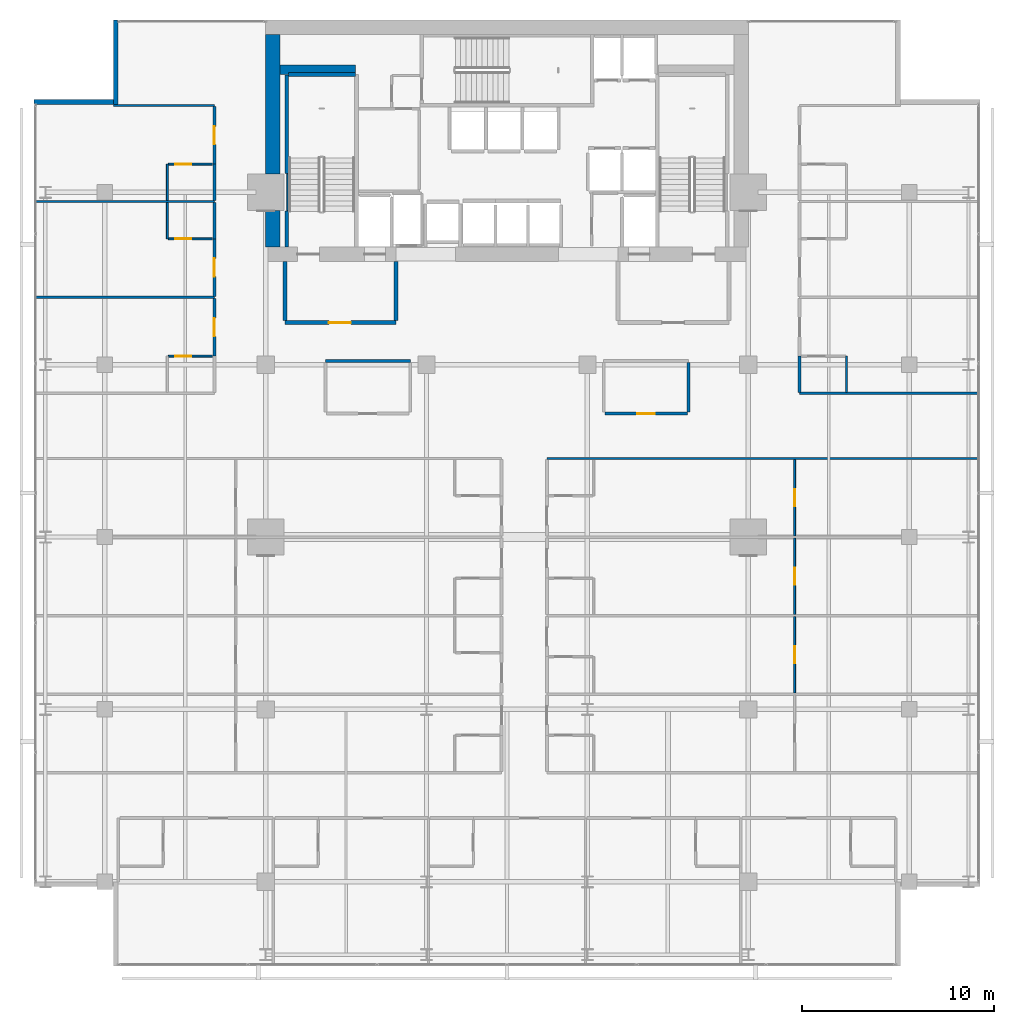
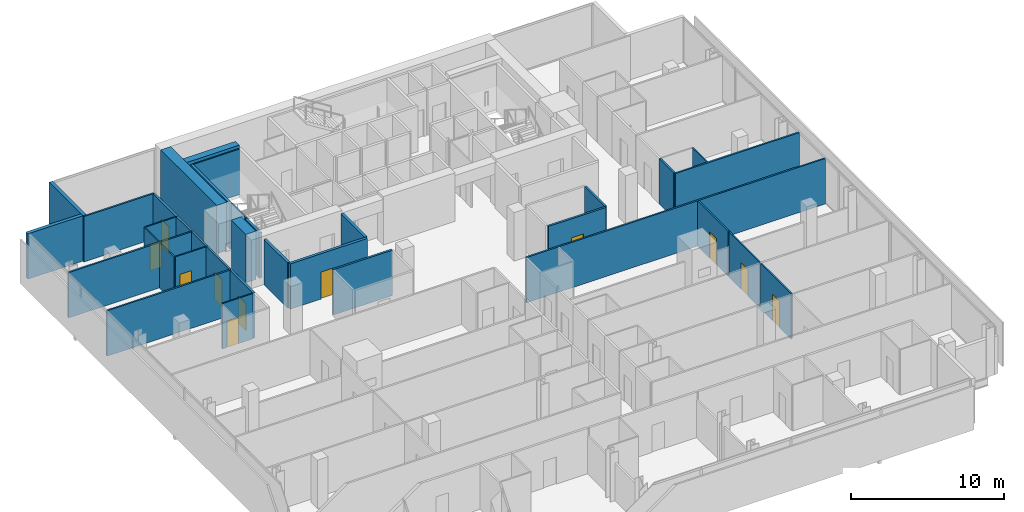
# One storey, part 29 of 34: 35 walls, 11 doors, 11 openings.
"""IFC4 building model written with IfcOpenShell, lengths in metres."""

from ifc_helpers import new_model, si_unit, direction, frame, frame_2d, origin, place, context, subcontext, project, spatial, rectangle, extrude, material, layer, layer_set, type_object, element, fill, save


model = new_model("IFC4")

# Units and contexts
model_context = context("Model", 3, precision=1e-05, world=origin(), true_north=direction((0.0, 1.0)))
body_context = subcontext(model_context, "Body", "Model", "MODEL_VIEW")
ifc_project = project(units=[si_unit("LENGTHUNIT", "METRE"), si_unit("AREAUNIT", "SQUARE_METRE"), si_unit("VOLUMEUNIT", "CUBIC_METRE"), si_unit("PLANEANGLEUNIT", "RADIAN"), si_unit("MASSUNIT", "GRAM", prefix="KILO")], contexts=[model_context])

# Site, building, storey
site_placement = place(None, origin())
site = spatial("IfcSite", under=ifc_project, at=site_placement, CompositionType="ELEMENT")
building_placement = place(site_placement, origin())
building = spatial("IfcBuilding", under=site, at=building_placement, Name="Maruvema Waterfront Hotel and Observation Tower", CompositionType="ELEMENT")
storey_placement = place(building_placement, frame((0.0, 0.0, 177.449951171875)))
storey = spatial("IfcBuildingStorey", under=building, at=storey_placement, Name="L43", CompositionType="ELEMENT", Elevation=177.449951171875)

# Walls
ifc_material_1 = material(Name="Twin-stud acoustic gypsum drywall", Category="gypsum")
ifc_layer_1 = layer(ifc_material_1, 0.14990234375, Name="Acoustic Corridor and Suite Demising Wall 150 mm")
ifc_layer_set_1 = layer_set([ifc_layer_1], Name="Twin-stud acoustic gypsum drywall")
wall_type_1 = type_object("IfcWallType", Name="Acoustic Corridor and Suite Demising Wall 150 mm", PredefinedType="PARTITIONING", material=ifc_layer_set_1)
wall_1_placement = place(storey_placement, frame((28.320068359375, 36.199951171875, 0.0), z_axis=(0.0, 0.0, 1.0), x_axis=(1.0, 0.0, 0.0)))
element("IfcWall", 1, at=wall_1_placement, inside=storey, type_object=wall_type_1, Name="L43 L43-M1 Back Wall 017", PredefinedType="PARTITIONING", context=body_context, shape_type="SweptSolid", body=[
    extrude(rectangle(XDim=4.429931640625, YDim=0.14990234375, at=frame_2d((2.21484375, 0.0))), origin(), (0.0, 0.0, 1.0), 3.610107421875),
])
wall_2_placement = place(storey_placement, frame((47.280029296875, 33.530029296875, 0.0), z_axis=(0.0, 0.0, 1.0), x_axis=(0.0, 1.0, 0.0)))
element("IfcWall", 2, at=wall_2_placement, inside=storey, type_object=wall_type_1, Name="L43 L43-M2 East Wall 023", PredefinedType="PARTITIONING", context=body_context, shape_type="SweptSolid", body=[
    extrude(rectangle(XDim=2.590087890625, YDim=0.14990234375, at=frame_2d((1.294921875, 0.0))), origin(), (0.0, 0.0, 1.0), 3.610107421875),
])

# Wall, opening, door
wall_3_placement = place(storey_placement, frame((42.909912109375, 33.449951171875, 0.0), z_axis=(0.0, 0.0, 1.0), x_axis=(1.0, 0.0, 0.0)))
wall_3 = element("IfcWall", 3, at=wall_3_placement, inside=storey, type_object=wall_type_1, Name="L43 L43-M2 Front 1 024", PredefinedType="PARTITIONING", context=body_context, shape_type="SweptSolid", body=[
    extrude(rectangle(XDim=4.31005859375, YDim=0.14990234375, at=frame_2d((2.155029296875, 0.0))), origin(), (0.0, 0.0, 1.0), 3.610107421875),
])
opening_1_placement = place(wall_3_placement, frame((1.705078125, 0.0, 0.0)))
opening_1 = element("IfcOpeningElement", 4, at=opening_1_placement, cuts=wall_3, Name="Opening DR-090", PredefinedType="OPENING", context=body_context, shape_type="SweptSolid", body=[
    extrude(rectangle(XDim=0.89990234375, YDim=2.10009765625, at=frame_2d((0.449951171875, 1.050048828125))), frame((0.0, 0.0849609375, 0.0), z_axis=(0.0, -1.0, 0.0), x_axis=(1.0, 0.0, 0.0)), (0.0, 0.0, 1.0), 0.169921875),
])
ifc_material_2 = material(Name="Solid-core lacquered timber leaf", Category="wood")
door_type_1 = type_object("IfcDoorType", Name="Accessible Toilet and Room Door 900x2100 mm", OperationType="NOTDEFINED", PredefinedType="DOOR", material=ifc_material_2)
door_1_placement = place(opening_1_placement, frame((0.89990234375, 0.0, 0.0), z_axis=(0.0, 0.0, 1.0), x_axis=(-1.0, 0.0, 0.0)))
door_1 = element("IfcDoor", 5, at=door_1_placement, inside=storey, type_object=door_type_1, Name="L43 Meeting Room 3 Door", OperationType="SINGLE_SWING_LEFT", OverallHeight=2.10009765625, OverallWidth=0.89990234375, PredefinedType="DOOR", context=body_context, shape_type="SweptSolid", body=[
    extrude(rectangle(XDim=0.89990234375, YDim=2.10009765625, at=frame_2d((0.449951171875, 1.050048828125))), frame((0.0, 0.02490234375, 0.0), z_axis=(0.0, -1.0, 0.0), x_axis=(1.0, 0.0, 0.0)), (0.0, 0.0, 1.0), 0.050048828125),
])
fill(opening_1, door_1)

wall_4_placement = place(storey_placement, frame((22.52001953125, 36.449951171875, 0.0), z_axis=(0.0, 0.0, 1.0), x_axis=(0.0, 1.0, 0.0)))
wall_4 = element("IfcWall", 6, at=wall_4_placement, inside=storey, type_object=wall_type_1, Name="L43 Room L43-NW1 Corridor Wall 106", PredefinedType="PARTITIONING", context=body_context, shape_type="SweptSolid", body=[
    extrude(rectangle(XDim=3.00244140625, YDim=0.14990234375, at=frame_2d((1.501220703125, 0.0))), origin(), (0.0, 0.0, 1.0), 3.610107421875),
])
opening_2_placement = place(wall_4_placement, frame((1.026123046875, 0.0, 0.0)))
opening_2 = element("IfcOpeningElement", 7, at=opening_2_placement, cuts=wall_4, Name="Opening DR-095", PredefinedType="OPENING", context=body_context, shape_type="SweptSolid", body=[
    extrude(rectangle(XDim=0.949951171875, YDim=2.14990234375, at=frame_2d((0.47509765625, 1.074951171875))), frame((0.0, 0.0849609375, 0.0), z_axis=(0.0, -1.0, 0.0), x_axis=(1.0, 0.0, 0.0)), (0.0, 0.0, 1.0), 0.169921875),
])
ifc_material_3 = material(Name="Acoustic solid-core hardwood timber leaf", Category="wood")
door_type_2 = type_object("IfcDoorType", Name="Guestroom Entrance Fire Door 950x2150 mm", OperationType="NOTDEFINED", PredefinedType="DOOR", material=ifc_material_3)
door_2_placement = place(opening_2_placement, origin())
door_2 = element("IfcDoor", 8, at=door_2_placement, inside=storey, type_object=door_type_2, Name="L43 Room L43-NW1 Entrance Door", OperationType="SINGLE_SWING_LEFT", OverallHeight=2.14990234375, OverallWidth=0.949951171875, PredefinedType="DOOR", context=body_context, shape_type="SweptSolid", body=[
    extrude(rectangle(XDim=0.949951171875, YDim=2.14990234375, at=frame_2d((0.47509765625, 1.074951171875))), frame((0.0, 0.02490234375, 0.0), z_axis=(0.0, -1.0, 0.0), x_axis=(1.0, 0.0, 0.0)), (0.0, 0.0, 1.0), 0.050048828125),
])
fill(opening_2, door_2)

# Wall
wall_5_placement = place(storey_placement, frame((53.080078125, 34.56005859375, 0.0), z_axis=(0.0, 0.0, 1.0), x_axis=(0.0, 1.0, 0.0)))
element("IfcWall", 9, at=wall_5_placement, inside=storey, type_object=wall_type_1, Name="L43 Bath L43-NE1 Wall 109", PredefinedType="PARTITIONING", context=body_context, shape_type="SweptSolid", body=[
    extrude(rectangle(XDim=1.889892578125, YDim=0.14990234375, at=frame_2d((0.94482421875, 0.0))), origin(), (0.0, 0.0, 1.0), 3.610107421875),
])

# Wall, opening, door
wall_6_placement = place(storey_placement, frame((22.52001953125, 39.572509765625, 0.0), z_axis=(0.0, 0.0, 1.0), x_axis=(0.0, 1.0, 0.0)))
wall_6 = element("IfcWall", 10, at=wall_6_placement, inside=storey, type_object=wall_type_1, Name="L43 Room L43-NW2 Corridor Wall 115", PredefinedType="PARTITIONING", context=body_context, shape_type="SweptSolid", body=[
    extrude(rectangle(XDim=3.00244140625, YDim=0.14990234375, at=frame_2d((1.501220703125, 0.0))), origin(), (0.0, 0.0, 1.0), 3.610107421875),
])
opening_3_placement = place(wall_6_placement, frame((1.0263671875, 0.0, 0.0)))
opening_3 = element("IfcOpeningElement", 11, at=opening_3_placement, cuts=wall_6, Name="Opening DR-095", PredefinedType="OPENING", context=body_context, shape_type="SweptSolid", body=[
    extrude(rectangle(XDim=0.949951171875, YDim=2.14990234375, at=frame_2d((0.47509765625, 1.074951171875))), frame((0.0, 0.0849609375, 0.0), z_axis=(0.0, -1.0, 0.0), x_axis=(1.0, 0.0, 0.0)), (0.0, 0.0, 1.0), 0.169921875),
])
door_3_placement = place(opening_3_placement, origin())
door_3 = element("IfcDoor", 12, at=door_3_placement, inside=storey, type_object=door_type_2, Name="L43 Room L43-NW2 Entrance Door", OperationType="SINGLE_SWING_LEFT", OverallHeight=2.14990234375, OverallWidth=0.949951171875, PredefinedType="DOOR", context=body_context, shape_type="SweptSolid", body=[
    extrude(rectangle(XDim=0.949951171875, YDim=2.14990234375, at=frame_2d((0.47509765625, 1.074951171875))), frame((0.0, 0.02490234375, 0.0), z_axis=(0.0, -1.0, 0.0), x_axis=(1.0, 0.0, 0.0)), (0.0, 0.0, 1.0), 0.050048828125),
])
fill(opening_3, door_3)

# Walls
for number, where, z_axis, x_axis, name in (
    (13, (22.52001953125, 42.574951171875, 0.0), (0.0, 0.0, 1.0), (0.0, 1.0, 0.0), "L43 Bath L43-NW2 Wall 116"),
    (14, (22.52001953125, 44.5849609375, 0.0), (0.0, 0.0, 1.0), (0.0, 1.0, 0.0), "L43 Bath L43-NW3 Wall 125"),
):
    element("IfcWall", number, at=place(storey_placement, frame(where, z_axis=z_axis, x_axis=x_axis)), inside=storey, type_object=wall_type_1, Name=name, PredefinedType="PARTITIONING", context=body_context, shape_type="SweptSolid", body=[
        extrude(rectangle(XDim=1.89013671875, YDim=0.14990234375, at=frame_2d((0.945068359375, 0.0))), origin(), (0.0, 0.0, 1.0), 3.610107421875),
    ])

# Wall, opening, door
wall_7_placement = place(storey_placement, frame((22.52001953125, 46.47509765625, 0.0), z_axis=(0.0, 0.0, 1.0), x_axis=(0.0, 1.0, 0.0)))
wall_7 = element("IfcWall", 15, at=wall_7_placement, inside=storey, type_object=wall_type_1, Name="L43 Room L43-NW3 Corridor Wall 126", PredefinedType="PARTITIONING", context=body_context, shape_type="SweptSolid", body=[
    extrude(rectangle(XDim=3.00244140625, YDim=0.14990234375, at=frame_2d((1.501220703125, 0.0))), origin(), (0.0, 0.0, 1.0), 3.610107421875),
])
opening_4_placement = place(wall_7_placement, frame((1.026123046875, 0.0, 0.0)))
opening_4 = element("IfcOpeningElement", 16, at=opening_4_placement, cuts=wall_7, Name="Opening DR-095", PredefinedType="OPENING", context=body_context, shape_type="SweptSolid", body=[
    extrude(rectangle(XDim=0.949951171875, YDim=2.14990234375, at=frame_2d((0.47509765625, 1.074951171875))), frame((0.0, 0.0849609375, 0.0), z_axis=(0.0, -1.0, 0.0), x_axis=(1.0, 0.0, 0.0)), (0.0, 0.0, 1.0), 0.169921875),
])
door_4_placement = place(opening_4_placement, origin())
door_4 = element("IfcDoor", 17, at=door_4_placement, inside=storey, type_object=door_type_2, Name="L43 Room L43-NW3 Entrance Door", OperationType="SINGLE_SWING_LEFT", OverallHeight=2.14990234375, OverallWidth=0.949951171875, PredefinedType="DOOR", context=body_context, shape_type="SweptSolid", body=[
    extrude(rectangle(XDim=0.949951171875, YDim=2.14990234375, at=frame_2d((0.47509765625, 1.074951171875))), frame((0.0, 0.02490234375, 0.0), z_axis=(0.0, -1.0, 0.0), x_axis=(1.0, 0.0, 0.0)), (0.0, 0.0, 1.0), 0.050048828125),
])
fill(opening_4, door_4)

# Walls
ifc_material_4 = material(Name="Precast concrete C45/55", Category="concrete")
ifc_layer_2 = layer(ifc_material_4, 0.199951171875, Name="Core Shaft and Stairwell Enclosure Wall 200 mm")
ifc_layer_set_2 = layer_set([ifc_layer_2], Name="Precast concrete C45/55")
wall_type_2 = type_object("IfcWallType", Name="Core Shaft and Stairwell Enclosure Wall 200 mm", PredefinedType="SOLIDWALL", material=ifc_layer_set_2)
wall_8_placement = place(storey_placement, frame((26.300048828125, 42.14990234375, 0.0), z_axis=(0.0, 0.0, 1.0), x_axis=(0.0, 1.0, 0.0)))
element("IfcWall", 18, at=wall_8_placement, inside=storey, type_object=wall_type_2, Name="L43 Stairwell ST-01 Shaft Lining Wall", PredefinedType="SOLIDWALL", context=body_context, shape_type="SweptSolid", body=[
    extrude(rectangle(XDim=1.8701171875, YDim=0.199951171875, at=frame_2d((0.93505859375, 0.0))), origin(), (0.0, 0.0, 1.0), 3.610107421875),
])
wall_9_placement = place(storey_placement, frame((26.300048828125, 45.97998046875, 0.0), z_axis=(0.0, 0.0, 1.0), x_axis=(0.0, 1.0, 0.0)))
element("IfcWall", 19, at=wall_9_placement, inside=storey, type_object=wall_type_2, Name="L43 Stairwell ST-01 Shaft Lining Wall", PredefinedType="SOLIDWALL", context=body_context, shape_type="SweptSolid", body=[
    extrude(rectangle(XDim=5.14013671875, YDim=0.199951171875, at=frame_2d((2.570068359375, 0.0))), origin(), (0.0, 0.0, 1.0), 3.610107421875),
])
wall_10_placement = place(storey_placement, frame((26.3798828125, 51.14990234375, 0.0), z_axis=(0.0, 0.0, 1.0), x_axis=(1.0, 0.0, 0.0)))
element("IfcWall", 20, at=wall_10_placement, inside=storey, type_object=wall_type_2, Name="L43 Stairwell ST-01 Shaft Lining Wall", PredefinedType="SOLIDWALL", context=body_context, shape_type="SweptSolid", body=[
    extrude(rectangle(XDim=3.5, YDim=0.199951171875, at=frame_2d((1.75, 0.0))), origin(), (0.0, 0.0, 1.0), 3.610107421875),
])
ifc_material_5 = material(Name="Concrete C70/85", Category="concrete")
ifc_layer_3 = layer(ifc_material_5, 0.5, Name="Core Shear Wall 500 mm")
ifc_layer_set_3 = layer_set([ifc_layer_3], Name="Concrete C70/85")
wall_type_3 = type_object("IfcWallType", Name="Core Shear Wall 500 mm", PredefinedType="SHEAR", material=ifc_layer_set_3)
wall_11_placement = place(storey_placement, frame((25.949951171875, 51.39990234375, 0.0), z_axis=(0.0, 0.0, 1.0), x_axis=(1.0, 0.0, 0.0)))
element("IfcWall", 21, at=wall_11_placement, inside=storey, type_object=wall_type_3, Name="L43 Internal Core Shear Wall NW 500 mm", PredefinedType="SHEAR", context=body_context, shape_type="SweptSolid", body=[
    extrude(rectangle(XDim=3.949951171875, YDim=0.5, at=frame_2d((1.97509765625, 0.0))), origin(), (0.0, 0.0, 1.0), 3.85009765625),
])
ifc_material_6 = material(Name="Concrete C70/85", Category="concrete")
ifc_layer_4 = layer(ifc_material_6, 0.75, Name="Core Shear Wall 750 mm")
ifc_layer_set_4 = layer_set([ifc_layer_4], Name="Concrete C70/85")
wall_type_4 = type_object("IfcWallType", Name="Core Shear Wall 750 mm", PredefinedType="SHEAR", material=ifc_layer_set_4)
wall_12_placement = place(storey_placement, frame((25.574951171875, 42.14990234375, 0.0), z_axis=(0.0, 0.0, 1.0), x_axis=(0.0, 1.0, 0.0)))
element("IfcWall", 22, at=wall_12_placement, inside=storey, type_object=wall_type_4, Name="L43 West-South Core Shear Wall", PredefinedType="SHEAR", context=body_context, shape_type="SweptSolid", body=[
    extrude(rectangle(XDim=1.900146484375, YDim=0.75, at=frame_2d((0.9501953125, 0.0))), origin(), (0.0, 0.0, 1.0), 3.85009765625),
])
wall_13_placement = place(storey_placement, frame((25.574951171875, 45.949951171875, 0.0), z_axis=(0.0, 0.0, 1.0), x_axis=(0.0, 1.0, 0.0)))
element("IfcWall", 23, at=wall_13_placement, inside=storey, type_object=wall_type_4, Name="L43 West-North Core Shear Wall", PredefinedType="SHEAR", context=body_context, shape_type="SweptSolid", body=[
    extrude(rectangle(XDim=7.300048828125, YDim=0.75, at=frame_2d((3.64990234375, 0.0))), origin(), (0.0, 0.0, 1.0), 3.85009765625),
])

# Wall, opening, door
ifc_material_7 = material(Name="Moisture-resistant cement-board drywall", Category="gypsum")
ifc_layer_5 = layer(ifc_material_7, 0.10009765625, Name="En-Suite Moisture-Resistant Partition 100 mm")
ifc_layer_set_5 = layer_set([ifc_layer_5], Name="Moisture-resistant cement-board drywall")
wall_type_5 = type_object("IfcWallType", Name="En-Suite Moisture-Resistant Partition 100 mm", PredefinedType="PARTITIONING", material=ifc_layer_set_5)
wall_14_placement = place(storey_placement, frame((52.818359375, 18.860107421875, 0.0), z_axis=(0.0, 0.0, 1.0), x_axis=(0.0, 1.0, 0.0)))
wall_14 = element("IfcWall", 24, at=wall_14_placement, inside=storey, type_object=wall_type_5, Name="L43 Suite L43-E2 Split 076", PredefinedType="PARTITIONING", context=body_context, shape_type="SweptSolid", body=[
    extrude(rectangle(XDim=3.97998046875, YDim=0.10009765625, at=frame_2d((1.989990234375, 0.0))), origin(), (0.0, 0.0, 1.0), 3.610107421875),
])
opening_5_placement = place(wall_14_placement, frame((1.5400390625, 0.0, 0.0)))
opening_5 = element("IfcOpeningElement", 25, at=opening_5_placement, cuts=wall_14, Name="Opening DR-090", PredefinedType="OPENING", context=body_context, shape_type="SweptSolid", body=[
    extrude(rectangle(XDim=0.89990234375, YDim=2.10009765625, at=frame_2d((0.449951171875, 1.050048828125))), frame((0.0, 0.06005859375, 0.0), z_axis=(0.0, -1.0, 0.0), x_axis=(1.0, 0.0, 0.0)), (0.0, 0.0, 1.0), 0.1201171875),
])
door_5_placement = place(opening_5_placement, frame((0.89990234375, 0.0, 0.0), z_axis=(0.0, 0.0, 1.0), x_axis=(-1.0, 0.0, 0.0)))
door_5 = element("IfcDoor", 26, at=door_5_placement, inside=storey, type_object=door_type_1, Name="L43 Suite L43-E2 Bedroom Door", OperationType="SINGLE_SWING_LEFT", OverallHeight=2.10009765625, OverallWidth=0.89990234375, PredefinedType="DOOR", context=body_context, shape_type="SweptSolid", body=[
    extrude(rectangle(XDim=0.89990234375, YDim=2.10009765625, at=frame_2d((0.449951171875, 1.050048828125))), frame((0.0, 0.02490234375, 0.0), z_axis=(0.0, -1.0, 0.0), x_axis=(1.0, 0.0, 0.0)), (0.0, 0.0, 1.0), 0.050048828125),
])
fill(opening_5, door_5)

wall_15_placement = place(storey_placement, frame((52.818359375, 22.9599609375, 0.0), z_axis=(0.0, 0.0, 1.0), x_axis=(0.0, 1.0, 0.0)))
wall_15 = element("IfcWall", 27, at=wall_15_placement, inside=storey, type_object=wall_type_5, Name="L43 Suite L43-E3 Split 088", PredefinedType="PARTITIONING", context=body_context, shape_type="SweptSolid", body=[
    extrude(rectangle(XDim=3.97998046875, YDim=0.10009765625, at=frame_2d((1.989990234375, 0.0))), origin(), (0.0, 0.0, 1.0), 3.610107421875),
])
opening_6_placement = place(wall_15_placement, frame((1.5400390625, 0.0, 0.0)))
opening_6 = element("IfcOpeningElement", 28, at=opening_6_placement, cuts=wall_15, Name="Opening DR-090", PredefinedType="OPENING", context=body_context, shape_type="SweptSolid", body=[
    extrude(rectangle(XDim=0.89990234375, YDim=2.10009765625, at=frame_2d((0.449951171875, 1.050048828125))), frame((0.0, 0.06005859375, 0.0), z_axis=(0.0, -1.0, 0.0), x_axis=(1.0, 0.0, 0.0)), (0.0, 0.0, 1.0), 0.1201171875),
])
door_6_placement = place(opening_6_placement, frame((0.89990234375, 0.0, 0.0), z_axis=(0.0, 0.0, 1.0), x_axis=(-1.0, 0.0, 0.0)))
door_6 = element("IfcDoor", 29, at=door_6_placement, inside=storey, type_object=door_type_1, Name="L43 Suite L43-E3 Bedroom Door", OperationType="SINGLE_SWING_LEFT", OverallHeight=2.10009765625, OverallWidth=0.89990234375, PredefinedType="DOOR", context=body_context, shape_type="SweptSolid", body=[
    extrude(rectangle(XDim=0.89990234375, YDim=2.10009765625, at=frame_2d((0.449951171875, 1.050048828125))), frame((0.0, 0.02490234375, 0.0), z_axis=(0.0, -1.0, 0.0), x_axis=(1.0, 0.0, 0.0)), (0.0, 0.0, 1.0), 0.050048828125),
])
fill(opening_6, door_6)

wall_16_placement = place(storey_placement, frame((52.818359375, 27.06005859375, 0.0), z_axis=(0.0, 0.0, 1.0), x_axis=(0.0, 1.0, 0.0)))
wall_16 = element("IfcWall", 30, at=wall_16_placement, inside=storey, type_object=wall_type_5, Name="L43 Suite L43-E4 Split 100", PredefinedType="PARTITIONING", context=body_context, shape_type="SweptSolid", body=[
    extrude(rectangle(XDim=3.97998046875, YDim=0.10009765625, at=frame_2d((1.989990234375, 0.0))), origin(), (0.0, 0.0, 1.0), 3.610107421875),
])
opening_7_placement = place(wall_16_placement, frame((1.5400390625, 0.0, 0.0)))
opening_7 = element("IfcOpeningElement", 31, at=opening_7_placement, cuts=wall_16, Name="Opening DR-090", PredefinedType="OPENING", context=body_context, shape_type="SweptSolid", body=[
    extrude(rectangle(XDim=0.89990234375, YDim=2.10009765625, at=frame_2d((0.449951171875, 1.050048828125))), frame((0.0, 0.06005859375, 0.0), z_axis=(0.0, -1.0, 0.0), x_axis=(1.0, 0.0, 0.0)), (0.0, 0.0, 1.0), 0.1201171875),
])
door_7_placement = place(opening_7_placement, frame((0.89990234375, 0.0, 0.0), z_axis=(0.0, 0.0, 1.0), x_axis=(-1.0, 0.0, 0.0)))
door_7 = element("IfcDoor", 32, at=door_7_placement, inside=storey, type_object=door_type_1, Name="L43 Suite L43-E4 Bedroom Door", OperationType="SINGLE_SWING_LEFT", OverallHeight=2.10009765625, OverallWidth=0.89990234375, PredefinedType="DOOR", context=body_context, shape_type="SweptSolid", body=[
    extrude(rectangle(XDim=0.89990234375, YDim=2.10009765625, at=frame_2d((0.449951171875, 1.050048828125))), frame((0.0, 0.02490234375, 0.0), z_axis=(0.0, -1.0, 0.0), x_axis=(1.0, 0.0, 0.0)), (0.0, 0.0, 1.0), 0.050048828125),
])
fill(opening_7, door_7)

wall_17_placement = place(storey_placement, frame((20.1201171875, 36.449951171875, 0.0), z_axis=(0.0, 0.0, 1.0), x_axis=(1.0, 0.0, 0.0)))
wall_17 = element("IfcWall", 33, at=wall_17_placement, inside=storey, type_object=wall_type_5, Name="L43 En-Suite L43-NW1 N 108", PredefinedType="PARTITIONING", context=body_context, shape_type="SweptSolid", body=[
    extrude(rectangle(XDim=2.2998046875, YDim=0.10009765625, at=frame_2d((1.14990234375, 0.0))), origin(), (0.0, 0.0, 1.0), 3.610107421875),
])
opening_8_placement = place(wall_17_placement, frame((0.35009765625, 0.0, 0.0)))
opening_8 = element("IfcOpeningElement", 34, at=opening_8_placement, cuts=wall_17, Name="Opening DR-085", PredefinedType="OPENING", context=body_context, shape_type="SweptSolid", body=[
    extrude(rectangle(XDim=0.85009765625, YDim=2.10009765625, at=frame_2d((0.425048828125, 1.050048828125))), frame((0.0, 0.06005859375, 0.0), z_axis=(0.0, -1.0, 0.0), x_axis=(1.0, 0.0, 0.0)), (0.0, 0.0, 1.0), 0.1201171875),
])
ifc_material_8 = material(Name="Moisture-resistant solid timber leaf", Category="wood")
door_type_3 = type_object("IfcDoorType", Name="En-Suite Bathroom Door 850x2100 mm", OperationType="NOTDEFINED", PredefinedType="DOOR", material=ifc_material_8)
door_8_placement = place(opening_8_placement, origin())
door_8 = element("IfcDoor", 35, at=door_8_placement, inside=storey, type_object=door_type_3, Name="L43 En-Suite L43-NW1 Door", OperationType="SINGLE_SWING_RIGHT", OverallHeight=2.10009765625, OverallWidth=0.85009765625, PredefinedType="DOOR", context=body_context, shape_type="SweptSolid", body=[
    extrude(rectangle(XDim=0.85009765625, YDim=2.10009765625, at=frame_2d((0.425048828125, 1.050048828125))), frame((0.0, 0.02490234375, 0.0), z_axis=(0.0, -1.0, 0.0), x_axis=(1.0, 0.0, 0.0)), (0.0, 0.0, 1.0), 0.050048828125),
])
fill(opening_8, door_8)

# Walls
wall_18_placement = place(storey_placement, frame((55.530029296875, 34.56005859375, 0.0), z_axis=(0.0, 0.0, 1.0), x_axis=(0.0, 1.0, 0.0)))
element("IfcWall", 36, at=wall_18_placement, inside=storey, type_object=wall_type_5, Name="L43 En-Suite L43-NE1 E 111", PredefinedType="PARTITIONING", context=body_context, shape_type="SweptSolid", body=[
    extrude(rectangle(XDim=1.889892578125, YDim=0.10009765625, at=frame_2d((0.94482421875, 0.0))), origin(), (0.0, 0.0, 1.0), 3.610107421875),
])
wall_19_placement = place(storey_placement, frame((20.070068359375, 42.574951171875, 0.0), z_axis=(0.0, 0.0, 1.0), x_axis=(0.0, 1.0, 0.0)))
element("IfcWall", 37, at=wall_19_placement, inside=storey, type_object=wall_type_5, Name="L43 En-Suite L43-NW2 W 117", PredefinedType="PARTITIONING", context=body_context, shape_type="SweptSolid", body=[
    extrude(rectangle(XDim=1.89013671875, YDim=0.10009765625, at=frame_2d((0.945068359375, 0.0))), origin(), (0.0, 0.0, 1.0), 3.610107421875),
])

# Wall, opening, door
wall_20_placement = place(storey_placement, frame((20.1201171875, 42.574951171875, 0.0), z_axis=(0.0, 0.0, 1.0), x_axis=(1.0, 0.0, 0.0)))
wall_20 = element("IfcWall", 38, at=wall_20_placement, inside=storey, type_object=wall_type_5, Name="L43 En-Suite L43-NW2 S 118", PredefinedType="PARTITIONING", context=body_context, shape_type="SweptSolid", body=[
    extrude(rectangle(XDim=2.2998046875, YDim=0.10009765625, at=frame_2d((1.14990234375, 0.0))), origin(), (0.0, 0.0, 1.0), 3.610107421875),
])
opening_9_placement = place(wall_20_placement, frame((0.35009765625, 0.0, 0.0)))
opening_9 = element("IfcOpeningElement", 39, at=opening_9_placement, cuts=wall_20, Name="Opening DR-085", PredefinedType="OPENING", context=body_context, shape_type="SweptSolid", body=[
    extrude(rectangle(XDim=0.85009765625, YDim=2.10009765625, at=frame_2d((0.425048828125, 1.050048828125))), frame((0.0, 0.06005859375, 0.0), z_axis=(0.0, -1.0, 0.0), x_axis=(1.0, 0.0, 0.0)), (0.0, 0.0, 1.0), 0.1201171875),
])
door_9_placement = place(opening_9_placement, frame((0.85009765625, 0.0, 0.0), z_axis=(0.0, 0.0, 1.0), x_axis=(-1.0, 0.0, 0.0)))
door_9 = element("IfcDoor", 40, at=door_9_placement, inside=storey, type_object=door_type_3, Name="L43 En-Suite L43-NW2 Door", OperationType="SINGLE_SWING_RIGHT", OverallHeight=2.10009765625, OverallWidth=0.85009765625, PredefinedType="DOOR", context=body_context, shape_type="SweptSolid", body=[
    extrude(rectangle(XDim=0.85009765625, YDim=2.10009765625, at=frame_2d((0.425048828125, 1.050048828125))), frame((0.0, 0.02490234375, 0.0), z_axis=(0.0, -1.0, 0.0), x_axis=(1.0, 0.0, 0.0)), (0.0, 0.0, 1.0), 0.050048828125),
])
fill(opening_9, door_9)

# Wall
wall_21_placement = place(storey_placement, frame((20.070068359375, 44.5849609375, 0.0), z_axis=(0.0, 0.0, 1.0), x_axis=(0.0, 1.0, 0.0)))
element("IfcWall", 41, at=wall_21_placement, inside=storey, type_object=wall_type_5, Name="L43 En-Suite L43-NW3 W 127", PredefinedType="PARTITIONING", context=body_context, shape_type="SweptSolid", body=[
    extrude(rectangle(XDim=1.89013671875, YDim=0.10009765625, at=frame_2d((0.945068359375, 0.0))), origin(), (0.0, 0.0, 1.0), 3.610107421875),
])

# Wall, opening, door
wall_22_placement = place(storey_placement, frame((20.1201171875, 46.47509765625, 0.0), z_axis=(0.0, 0.0, 1.0), x_axis=(1.0, 0.0, 0.0)))
wall_22 = element("IfcWall", 42, at=wall_22_placement, inside=storey, type_object=wall_type_5, Name="L43 En-Suite L43-NW3 N 128", PredefinedType="PARTITIONING", context=body_context, shape_type="SweptSolid", body=[
    extrude(rectangle(XDim=2.2998046875, YDim=0.10009765625, at=frame_2d((1.14990234375, 0.0))), origin(), (0.0, 0.0, 1.0), 3.610107421875),
])
opening_10_placement = place(wall_22_placement, frame((0.35009765625, 0.0, 0.0)))
opening_10 = element("IfcOpeningElement", 43, at=opening_10_placement, cuts=wall_22, Name="Opening DR-085", PredefinedType="OPENING", context=body_context, shape_type="SweptSolid", body=[
    extrude(rectangle(XDim=0.85009765625, YDim=2.10009765625, at=frame_2d((0.425048828125, 1.050048828125))), frame((0.0, 0.06005859375, 0.0), z_axis=(0.0, -1.0, 0.0), x_axis=(1.0, 0.0, 0.0)), (0.0, 0.0, 1.0), 0.1201171875),
])
door_10_placement = place(opening_10_placement, origin())
door_10 = element("IfcDoor", 44, at=door_10_placement, inside=storey, type_object=door_type_3, Name="L43 En-Suite L43-NW3 Door", OperationType="SINGLE_SWING_RIGHT", OverallHeight=2.10009765625, OverallWidth=0.85009765625, PredefinedType="DOOR", context=body_context, shape_type="SweptSolid", body=[
    extrude(rectangle(XDim=0.85009765625, YDim=2.10009765625, at=frame_2d((0.425048828125, 1.050048828125))), frame((0.0, 0.02490234375, 0.0), z_axis=(0.0, -1.0, 0.0), x_axis=(1.0, 0.0, 0.0)), (0.0, 0.0, 1.0), 0.050048828125),
])
fill(opening_10, door_10)

# Walls
ifc_material_9 = material(Name="Precast concrete C45/55 with honed Pernambuco granite facing", Category="masonry")
ifc_layer_6 = layer(ifc_material_9, 0.260009765625, Name="Exterior Granite Clad Spandrel and Pier Wall 260 mm")
ifc_layer_set_6 = layer_set([ifc_layer_6], Name="Precast concrete C45/55 with honed Pernambuco granite facing")
wall_type_6 = type_object("IfcWallType", Name="Exterior Granite Clad Spandrel and Pier Wall 260 mm", PredefinedType="SOLIDWALL", material=ifc_layer_set_6)
for number, where, z_axis, x_axis, name in (
    (45, (17.3701171875, 49.60009765625, 0.0), (0.0, 0.0, 1.0), (0.0, 1.0, 0.0), "L43 Corner Notch Granite Pier Wall NW1"),
    (46, (13.10009765625, 49.72998046875, 0.0), (0.0, 0.0, 1.0), (1.0, 0.0, 0.0), "L43 Corner Notch Granite Pier Wall NW2"),
):
    element("IfcWall", number, at=place(storey_placement, frame(where, z_axis=z_axis, x_axis=x_axis)), inside=storey, type_object=wall_type_6, Name=name, PredefinedType="SOLIDWALL", context=body_context, shape_type="SweptSolid", body=[
        extrude(rectangle(XDim=4.39990234375, YDim=0.260009765625, at=frame_2d((2.199951171875, 0.0))), origin(), (0.0, 0.0, 1.0), 3.610107421875),
    ])

# Wall, opening, door
ifc_material_10 = material(Name="Autoclaved cellular concrete blockwork", Category="masonry")
ifc_layer_7 = layer(ifc_material_10, 0.199951171875, Name="Fire Compartment Masonry Wall 200 mm")
ifc_layer_set_7 = layer_set([ifc_layer_7], Name="Autoclaved cellular concrete blockwork")
wall_type_7 = type_object("IfcWallType", Name="Fire Compartment Masonry Wall 200 mm", PredefinedType="PARTITIONING", material=ifc_layer_set_7)
wall_23_placement = place(storey_placement, frame((26.199951171875, 38.199951171875, 0.0), z_axis=(0.0, 0.0, 1.0), x_axis=(1.0, 0.0, 0.0)))
wall_23 = element("IfcWall", 47, at=wall_23_placement, inside=storey, type_object=wall_type_7, Name="L43 FFL West South Wall 001", PredefinedType="PARTITIONING", context=body_context, shape_type="SweptSolid", body=[
    extrude(rectangle(XDim=5.800048828125, YDim=0.199951171875, at=frame_2d((2.89990234375, 0.0))), origin(), (0.0, 0.0, 1.0), 3.610107421875),
])
opening_11_placement = place(wall_23_placement, frame((2.300048828125, 0.0, 0.0)))
opening_11 = element("IfcOpeningElement", 48, at=opening_11_placement, cuts=wall_23, Name="Opening FD-115", PredefinedType="OPENING", context=body_context, shape_type="SweptSolid", body=[
    extrude(rectangle(XDim=1.14990234375, YDim=2.14990234375, at=frame_2d((0.574951171875, 1.074951171875))), frame((0.0, 0.10986328125, 0.0), z_axis=(0.0, -1.0, 0.0), x_axis=(1.0, 0.0, 0.0)), (0.0, 0.0, 1.0), 0.219970703125),
])
ifc_material_11 = material(Name="Fire-rated galvanised steel and vision glass", Category="steel")
door_type_4 = type_object("IfcDoorType", Name="Firefighting Lobby Fire Door 1150x2150 mm", OperationType="NOTDEFINED", PredefinedType="DOOR", material=ifc_material_11)
door_11_placement = place(opening_11_placement, frame((1.14990234375, 0.0, 0.0), z_axis=(0.0, 0.0, 1.0), x_axis=(-1.0, 0.0, 0.0)))
door_11 = element("IfcDoor", 49, at=door_11_placement, inside=storey, type_object=door_type_4, Name="L43 Firefighting Lobby West Door", OperationType="SINGLE_SWING_RIGHT", OverallHeight=2.14990234375, OverallWidth=1.14990234375, PredefinedType="DOOR", context=body_context, shape_type="SweptSolid", body=[
    extrude(rectangle(XDim=1.14990234375, YDim=2.14990234375, at=frame_2d((0.574951171875, 1.074951171875))), frame((0.0, 0.02490234375, 0.0), z_axis=(0.0, -1.0, 0.0), x_axis=(1.0, 0.0, 0.0)), (0.0, 0.0, 1.0), 0.050048828125),
])
fill(opening_11, door_11)

# Walls
for number, where, z_axis, x_axis, name in (
    (50, (26.199951171875, 38.31005859375, 0.0), (0.0, 0.0, 1.0), (0.0, 1.0, 0.0), "L43 FFL West West Wall 002"),
    (51, (32.0, 38.31005859375, 0.0), (0.0, 0.0, 1.0), (0.0, 1.0, 0.0), "L43 FFL West East Wall 003"),
):
    element("IfcWall", number, at=place(storey_placement, frame(where, z_axis=z_axis, x_axis=x_axis)), inside=storey, type_object=wall_type_7, Name=name, PredefinedType="PARTITIONING", context=body_context, shape_type="SweptSolid", body=[
        extrude(rectangle(XDim=3.06982421875, YDim=0.199951171875, at=frame_2d((1.534912109375, 0.0))), origin(), (0.0, 0.0, 1.0), 3.610107421875),
    ])
ifc_material_12 = material(Name="Acoustic gypsum plasterboard drywall", Category="gypsum")
ifc_layer_8 = layer(ifc_material_12, 0.125, Name="Guestroom Acoustic Demising Wall 125 mm")
ifc_layer_set_8 = layer_set([ifc_layer_8], Name="Acoustic gypsum plasterboard drywall")
wall_type_8 = type_object("IfcWallType", Name="Guestroom Acoustic Demising Wall 125 mm", PredefinedType="PARTITIONING", material=ifc_layer_set_8)
wall_24_placement = place(storey_placement, frame((39.8798828125, 31.10009765625, 0.0), z_axis=(0.0, 0.0, 1.0), x_axis=(1.0, 0.0, 0.0)))
element("IfcWall", 52, at=wall_24_placement, inside=storey, type_object=wall_type_8, Name="L43 Z2 E Top End 054", PredefinedType="PARTITIONING", context=body_context, shape_type="SweptSolid", body=[
    extrude(rectangle(XDim=22.52001953125, YDim=0.125, at=frame_2d((11.260009765625, 0.0))), origin(), (0.0, 0.0, 1.0), 3.610107421875),
])
wall_25_placement = place(storey_placement, frame((53.080078125, 34.5, 0.0), z_axis=(0.0, 0.0, 1.0), x_axis=(1.0, 0.0, 0.0)))
element("IfcWall", 53, at=wall_25_placement, inside=storey, type_object=wall_type_8, Name="L43 Z2 NE Bot End 102", PredefinedType="PARTITIONING", context=body_context, shape_type="SweptSolid", body=[
    extrude(rectangle(XDim=9.31982421875, YDim=0.125, at=frame_2d((4.659912109375, 0.0))), origin(), (0.0, 0.0, 1.0), 3.610107421875),
])
wall_26_placement = place(storey_placement, frame((17.239990234375, 49.53759765625, 0.0), z_axis=(0.0, 0.0, 1.0), x_axis=(1.0, 0.0, 0.0)))
element("IfcWall", 54, at=wall_26_placement, inside=storey, type_object=wall_type_8, Name="L43 Z2 NW Top End 103", PredefinedType="PARTITIONING", context=body_context, shape_type="SweptSolid", body=[
    extrude(rectangle(XDim=5.280029296875, YDim=0.125, at=frame_2d((2.64013671875, 0.0))), origin(), (0.0, 0.0, 1.0), 3.610107421875),
])
for number, where, z_axis, x_axis, name in (
    (55, (13.199951171875, 39.512451171875, 0.0), (0.0, 0.0, 1.0), (1.0, 0.0, 0.0), "L43 Z2 NW Demising 2 113"),
    (56, (13.199951171875, 44.52490234375, 0.0), (0.0, 0.0, 1.0), (1.0, 0.0, 0.0), "L43 Z2 NW Demising 3 123"),
):
    element("IfcWall", number, at=place(storey_placement, frame(where, z_axis=z_axis, x_axis=x_axis)), inside=storey, type_object=wall_type_8, Name=name, PredefinedType="PARTITIONING", context=body_context, shape_type="SweptSolid", body=[
        extrude(rectangle(XDim=9.320068359375, YDim=0.125, at=frame_2d((4.66015625, 0.0))), origin(), (0.0, 0.0, 1.0), 3.610107421875),
    ])
ifc_material_13 = material(Name="Precast concrete C45/55", Category="concrete")
ifc_layer_9 = layer(ifc_material_13, 0.10009765625, Name="Stairwell Stringer Cheek Wall 100 mm")
ifc_layer_set_9 = layer_set([ifc_layer_9], Name="Precast concrete C45/55")
wall_type_9 = type_object("IfcWallType", Name="Stairwell Stringer Cheek Wall 100 mm", PredefinedType="SOLIDWALL", material=ifc_layer_set_9)
wall_27_placement = place(storey_placement, frame((26.35205078125, 44.0400390625, 0.0), z_axis=(0.0, 0.0, 1.0), x_axis=(0.0, 1.0, 0.0)))
element("IfcWall", 57, at=wall_27_placement, inside=storey, type_object=wall_type_9, Name="L43 Stairwell ST-01 Mega-Column Cheek Wall", PredefinedType="SOLIDWALL", context=body_context, shape_type="SweptSolid", body=[
    extrude(rectangle(XDim=1.919921875, YDim=0.10009765625, at=frame_2d((0.9599609375, 0.0))), origin(), (0.0, 0.0, 1.0), 3.610107421875),
])

save(model, "model.ifc")
